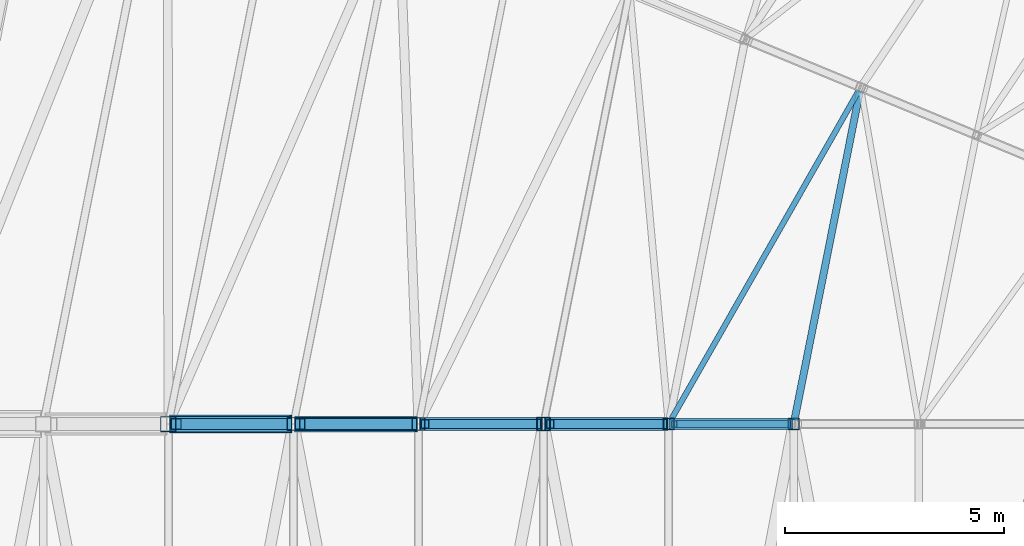
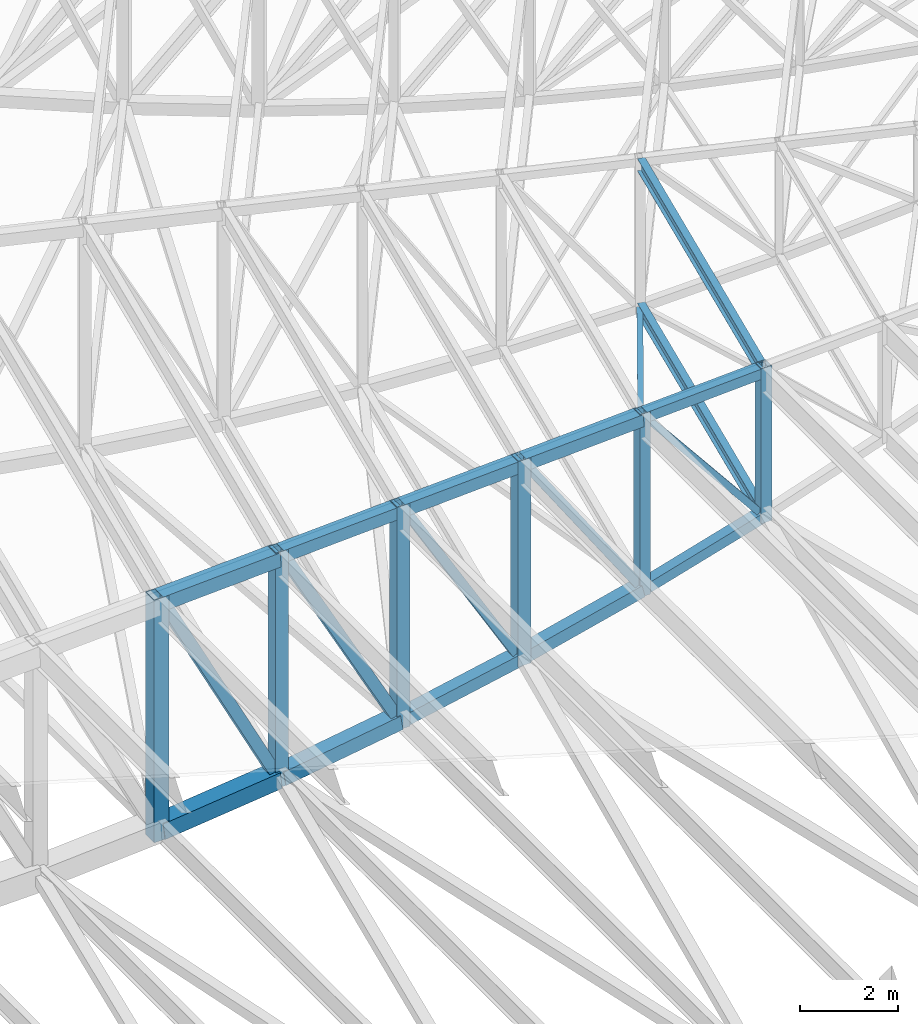
# One storey, part 64 of 278: 16 beams, 8 members.
"""IFC4 building model written with IfcOpenShell, lengths in metres."""

from ifc_helpers import new_model, si_unit, direction, frame, origin, origin_2d, place, context, subcontext, project, spatial, hollow_rectangle, i_section, extrude, material, material_profile, profile_set, type_object, element, save


model = new_model("IFC4")

# Units and contexts
model_context = context("Model", 3, precision=1e-05, world=origin(), true_north=direction((0.0, 1.0)))
body_context = subcontext(model_context, "Body", "Model", "MODEL_VIEW")
ifc_project = project(units=[si_unit("LENGTHUNIT", "METRE"), si_unit("AREAUNIT", "SQUARE_METRE"), si_unit("VOLUMEUNIT", "CUBIC_METRE"), si_unit("PLANEANGLEUNIT", "RADIAN"), si_unit("MASSUNIT", "GRAM", prefix="KILO")], contexts=[model_context])

# Site, building, storey
site_placement = place(None, origin())
site = spatial("IfcSite", under=ifc_project, at=site_placement, CompositionType="ELEMENT")
building_placement = place(site_placement, origin())
building = spatial("IfcBuilding", under=site, at=building_placement, Name="Ogive Plaza Stadium", CompositionType="ELEMENT")
storey_placement = place(building_placement, frame((0.0, 0.0, 29.0)))
storey = spatial("IfcBuildingStorey", under=building, at=storey_placement, Name="Roof", CompositionType="ELEMENT", Elevation=29.0)

# Members
ifc_material_1 = material(Name="Steel ASTM A500 Grade C", Category="steel")
ifc_material_profile_1 = material_profile(ifc_material_1, hollow_rectangle(XDim=0.126953125, YDim=0.126953125, WallThickness=0.005859375, at=origin_2d()), Name="HSS5X5X1/4")
ifc_profile_set_1 = profile_set([ifc_material_profile_1], Name="Steel ASTM A500 Grade C")
member_type_1 = type_object("IfcMemberType", Name="Roof plan brace HSS5X5X1/4", PredefinedType="BRACE", material=ifc_profile_set_1)
member_1_placement = place(storey_placement, frame((-52.563720703125, 60.10302734375, 3.242431640625), z_axis=(-0.493347767192, -0.86502645405, -0.091308347927), x_axis=(0.868655115078, -0.495417289815, 0.0)))
element("IfcMember", 1, at=member_1_placement, inside=storey, type_object=member_type_1, Name="ROOF BRACE B28 4", PredefinedType="BRACE", context=body_context, shape_type="SweptSolid", body=[
    extrude(hollow_rectangle(XDim=0.126953125, YDim=0.126953125, WallThickness=0.005859375, at=origin_2d()), origin(), (0.0, 0.0, 1.0), 8.636474609375),
])
ifc_material_2 = material(Name="Steel ASTM A992 Grade 50", Category="steel")
ifc_material_profile_2 = material_profile(ifc_material_2, i_section(OverallWidth=0.164794921875, OverallDepth=0.310302734375, WebThickness=0.005859375, FlangeThickness=0.009765625, at=origin_2d()), Name="W12X26")
ifc_profile_set_2 = profile_set([ifc_material_profile_2], Name="Steel ASTM A992 Grade 50")
member_type_2 = type_object("IfcMemberType", Name="Roof plan strut W12X26", PredefinedType="STRUT", material=ifc_profile_set_2)
member_2_placement = place(storey_placement, frame((-54.032470703125, 52.588134765625, 3.249755859375), z_axis=(0.195102482268, 0.9807828615, 0.0), x_axis=(-0.9807828615, 0.195102482268, 0.0)))
element("IfcMember", 2, at=member_2_placement, inside=storey, type_object=member_type_2, Name="ROOF STRUT B28 3", PredefinedType="STRUT", context=body_context, shape_type="SweptSolid", body=[
    extrude(i_section(OverallWidth=0.164794921875, OverallDepth=0.310302734375, WebThickness=0.005859375, FlangeThickness=0.009765625, at=origin_2d()), origin(), (0.0, 0.0, 1.0), 7.643310546875),
])
ifc_material_3 = material(Name="Steel ASTM A992 Grade 50", Category="steel")
ifc_material_profile_3 = material_profile(ifc_material_3, i_section(OverallWidth=0.164794921875, OverallDepth=0.310302734375, WebThickness=0.005859375, FlangeThickness=0.009765625, at=origin_2d()), Name="W12X26")
ifc_profile_set_3 = profile_set([ifc_material_profile_3], Name="Steel ASTM A992 Grade 50")
member_type_3 = type_object("IfcMemberType", Name="Roof purlin W12X26", PredefinedType="PURLIN", material=ifc_profile_set_3)
member_3_placement = place(storey_placement, frame((-54.032470703125, 52.588134765625, 6.84228515625), z_axis=(0.195102482268, 0.9807828615, 0.0), x_axis=(-0.9807828615, 0.195102482268, 0.0)))
element("IfcMember", 3, at=member_3_placement, inside=storey, type_object=member_type_3, Name="ROOF PURLIN B28 3", PredefinedType="PURLIN", context=body_context, shape_type="SweptSolid", body=[
    extrude(i_section(OverallWidth=0.164794921875, OverallDepth=0.310302734375, WebThickness=0.005859375, FlangeThickness=0.009765625, at=origin_2d()), origin(), (0.0, 0.0, 1.0), 7.643310546875),
])

# Beams
ifc_material_4 = material(Name="Steel ASTM A500 Grade C", Category="steel")
ifc_material_profile_4 = material_profile(ifc_material_4, hollow_rectangle(XDim=0.25390625, YDim=0.25390625, WallThickness=0.01171875, at=origin_2d()), Name="HSS10X10X1/2")
ifc_profile_set_4 = profile_set([ifc_material_profile_4], Name="Steel ASTM A500 Grade C")
beam_type_1 = type_object("IfcBeamType", Name="Roof truss bottom chord HSS10X10X1/2", PredefinedType="BEAM", material=ifc_profile_set_4)
beam_1_placement = place(storey_placement, frame((-54.10009765625, 52.5, 3.265869140625), z_axis=(-0.959640437259, 0.0, -0.281229854705), x_axis=(0.0, -1.0, 0.0)))
element("IfcBeam", 4, at=beam_1_placement, inside=storey, type_object=beam_type_1, Name="ROOF TRUSS T28 BOTTOM CHORD 4", PredefinedType="BEAM", context=body_context, shape_type="SweptSolid", body=[
    extrude(hollow_rectangle(XDim=0.25390625, YDim=0.25390625, WallThickness=0.01171875, at=origin_2d()), origin(), (0.0, 0.0, 1.0), 2.86572265625),
])
ifc_material_5 = material(Name="Steel ASTM A500 Grade C", Category="steel")
ifc_material_profile_5 = material_profile(ifc_material_5, hollow_rectangle(XDim=0.3046875, YDim=0.3046875, WallThickness=0.0146484375, at=origin_2d()), Name="HSS12X12X5/8")
ifc_profile_set_5 = profile_set([ifc_material_profile_5], Name="Steel ASTM A500 Grade C")
beam_type_2 = type_object("IfcBeamType", Name="Roof truss bottom chord HSS12X12X5/8", PredefinedType="BEAM", material=ifc_profile_set_5)
beam_2_placement = place(storey_placement, frame((-56.949951171875, 52.5, 2.45751953125), z_axis=(-0.970607032995, 0.0, -0.240669872439), x_axis=(0.0, -1.0, 0.0)))
element("IfcBeam", 5, at=beam_2_placement, inside=storey, type_object=beam_type_2, Name="ROOF TRUSS T28 BOTTOM CHORD 5", PredefinedType="BEAM", context=body_context, shape_type="SweptSolid", body=[
    extrude(hollow_rectangle(XDim=0.3046875, YDim=0.3046875, WallThickness=0.0146484375, at=origin_2d()), origin(), (0.0, 0.0, 1.0), 2.833251953125),
])
beam_3_placement = place(storey_placement, frame((-59.800048828125, 52.5, 1.751708984375), z_axis=(-0.980021250437, 0.0, -0.19889280704), x_axis=(0.0, -1.0, 0.0)))
element("IfcBeam", 6, at=beam_3_placement, inside=storey, type_object=beam_type_2, Name="ROOF TRUSS T28 BOTTOM CHORD 6", PredefinedType="BEAM", context=body_context, shape_type="SweptSolid", body=[
    extrude(hollow_rectangle(XDim=0.3046875, YDim=0.3046875, WallThickness=0.0146484375, at=origin_2d()), origin(), (0.0, 0.0, 1.0), 2.80615234375),
])
ifc_material_6 = material(Name="Steel ASTM A500 Grade C", Category="steel")
ifc_material_profile_6 = material_profile(ifc_material_6, hollow_rectangle(XDim=0.355712890625, YDim=0.355712890625, WallThickness=0.0146484375, at=origin_2d()), Name="HSS14X14X5/8")
ifc_profile_set_6 = profile_set([ifc_material_profile_6], Name="Steel ASTM A500 Grade C")
beam_type_3 = type_object("IfcBeamType", Name="Roof truss bottom chord HSS14X14X5/8", PredefinedType="BEAM", material=ifc_profile_set_6)
beam_4_placement = place(storey_placement, frame((-62.64990234375, 52.5, 1.2001953125), z_axis=(-0.987770074518, 0.0, -0.155917541947), x_axis=(0.0, -1.0, 0.0)))
element("IfcBeam", 7, at=beam_4_placement, inside=storey, type_object=beam_type_3, Name="ROOF TRUSS T28 BOTTOM CHORD 7", PredefinedType="BEAM", context=body_context, shape_type="SweptSolid", body=[
    extrude(hollow_rectangle(XDim=0.355712890625, YDim=0.355712890625, WallThickness=0.0146484375, at=origin_2d()), origin(), (0.0, 0.0, 1.0), 2.783935546875),
])
ifc_material_7 = material(Name="Steel ASTM A500 Grade C", Category="steel")
ifc_material_profile_7 = material_profile(ifc_material_7, hollow_rectangle(XDim=0.406494140625, YDim=0.406494140625, WallThickness=0.0146484375, at=origin_2d()), Name="HSS16X16X5/8")
ifc_profile_set_7 = profile_set([ifc_material_profile_7], Name="Steel ASTM A500 Grade C")
beam_type_4 = type_object("IfcBeamType", Name="Roof truss bottom chord HSS16X16X5/8", PredefinedType="BEAM", material=ifc_profile_set_7)
beam_5_placement = place(storey_placement, frame((-65.5, 52.5, 0.777099609375), z_axis=(-0.993703844406, 0.0, -0.112038696946), x_axis=(0.0, -1.0, 0.0)))
element("IfcBeam", 8, at=beam_5_placement, inside=storey, type_object=beam_type_4, Name="ROOF TRUSS T28 BOTTOM CHORD 8", PredefinedType="BEAM", context=body_context, shape_type="SweptSolid", body=[
    extrude(hollow_rectangle(XDim=0.406494140625, YDim=0.406494140625, WallThickness=0.0146484375, at=origin_2d()), origin(), (0.0, 0.0, 1.0), 2.767333984375),
])

# Members
ifc_material_8 = material(Name="Steel ASTM A500 Grade C", Category="steel")
ifc_material_profile_8 = material_profile(ifc_material_8, hollow_rectangle(XDim=0.25390625, YDim=0.25390625, WallThickness=0.0087890625, at=origin_2d()), Name="HSS10X10X3/8")
ifc_profile_set_8 = profile_set([ifc_material_profile_8], Name="Steel ASTM A500 Grade C")
member_type_4 = type_object("IfcMemberType", Name="Roof truss diagonal HSS10X10X3/8", PredefinedType="BRACE", material=ifc_profile_set_8)
member_4_placement = place(storey_placement, frame((-62.75244140625, 52.5, 1.383544921875), z_axis=(-0.473127942579, 0.0, 0.880993728667), x_axis=(0.0, -1.0, 0.0)))
element("IfcMember", 9, at=member_4_placement, inside=storey, type_object=member_type_4, Name="ROOF TRUSS T28 DIAGONAL 7", PredefinedType="BRACE", context=body_context, shape_type="SweptSolid", body=[
    extrude(hollow_rectangle(XDim=0.25390625, YDim=0.25390625, WallThickness=0.0087890625, at=origin_2d()), origin(), (0.0, 0.0, 1.0), 5.37939453125),
])
member_5_placement = place(storey_placement, frame((-65.602294921875, 52.5, 0.984619140625), z_axis=(-0.454062843231, 0.0, 0.890969659639), x_axis=(0.0, -1.0, 0.0)))
element("IfcMember", 10, at=member_5_placement, inside=storey, type_object=member_type_4, Name="ROOF TRUSS T28 DIAGONAL 8", PredefinedType="BRACE", context=body_context, shape_type="SweptSolid", body=[
    extrude(hollow_rectangle(XDim=0.25390625, YDim=0.25390625, WallThickness=0.0087890625, at=origin_2d()), origin(), (0.0, 0.0, 1.0), 5.550048828125),
])
ifc_material_9 = material(Name="Steel ASTM A500 Grade C", Category="steel")
ifc_material_profile_9 = material_profile(ifc_material_9, hollow_rectangle(XDim=0.15234375, YDim=0.15234375, WallThickness=0.0087890625, at=origin_2d()), Name="HSS6X6X3/8")
ifc_profile_set_9 = profile_set([ifc_material_profile_9], Name="Steel ASTM A500 Grade C")
member_type_5 = type_object("IfcMemberType", Name="Roof truss diagonal HSS6X6X3/8", PredefinedType="BRACE", material=ifc_profile_set_9)
member_6_placement = place(storey_placement, frame((-54.177001953125, 52.5, 3.40234375), z_axis=(-0.630150764463, 0.0, 0.77647280316), x_axis=(0.0, -1.0, 0.0)))
element("IfcMember", 11, at=member_6_placement, inside=storey, type_object=member_type_5, Name="ROOF TRUSS T28 DIAGONAL 4", PredefinedType="BRACE", context=body_context, shape_type="SweptSolid", body=[
    extrude(hollow_rectangle(XDim=0.15234375, YDim=0.15234375, WallThickness=0.0087890625, at=origin_2d()), origin(), (0.0, 0.0, 1.0), 4.11962890625),
])
ifc_material_10 = material(Name="Steel ASTM A500 Grade C", Category="steel")
ifc_material_profile_10 = material_profile(ifc_material_10, hollow_rectangle(XDim=0.203125, YDim=0.203125, WallThickness=0.0087890625, at=origin_2d()), Name="HSS8X8X3/8")
ifc_profile_set_10 = profile_set([ifc_material_profile_10], Name="Steel ASTM A500 Grade C")
member_type_6 = type_object("IfcMemberType", Name="Roof truss diagonal HSS8X8X3/8", PredefinedType="BRACE", material=ifc_profile_set_10)
member_7_placement = place(storey_placement, frame((-57.027099609375, 52.5, 2.617919921875), z_axis=(-0.561338440243, 0.0, 0.827586343233), x_axis=(0.0, -1.0, 0.0)))
element("IfcMember", 12, at=member_7_placement, inside=storey, type_object=member_type_6, Name="ROOF TRUSS T28 DIAGONAL 5", PredefinedType="BRACE", context=body_context, shape_type="SweptSolid", body=[
    extrude(hollow_rectangle(XDim=0.203125, YDim=0.203125, WallThickness=0.0087890625, at=origin_2d()), origin(), (0.0, 0.0, 1.0), 4.579345703125),
])
member_8_placement = place(storey_placement, frame((-59.90234375, 52.5, 1.9111328125), z_axis=(-0.504659398762, 0.0, 0.863318534054), x_axis=(0.0, -1.0, 0.0)))
element("IfcMember", 13, at=member_8_placement, inside=storey, type_object=member_type_6, Name="ROOF TRUSS T28 DIAGONAL 6", PredefinedType="BRACE", context=body_context, shape_type="SweptSolid", body=[
    extrude(hollow_rectangle(XDim=0.203125, YDim=0.203125, WallThickness=0.0087890625, at=origin_2d()), origin(), (0.0, 0.0, 1.0), 5.043212890625),
])

# Beams
ifc_material_11 = material(Name="Steel ASTM A500 Grade C", Category="steel")
ifc_material_profile_11 = material_profile(ifc_material_11, hollow_rectangle(XDim=0.25390625, YDim=0.25390625, WallThickness=0.01171875, at=origin_2d()), Name="HSS10X10X1/2")
ifc_profile_set_11 = profile_set([ifc_material_profile_11], Name="Steel ASTM A500 Grade C")
beam_type_5 = type_object("IfcBeamType", Name="Roof truss post HSS10X10X1/2", PredefinedType="BEAM", material=ifc_profile_set_11)
beam_6_placement = place(storey_placement, frame((-54.050048828125, 52.5, 3.148193359375), z_axis=(0.0, 0.0, 1.0), x_axis=(0.0, -1.0, 0.0)))
element("IfcBeam", 14, at=beam_6_placement, inside=storey, type_object=beam_type_5, Name="ROOF TRUSS T28 POST 4", PredefinedType="BEAM", context=body_context, shape_type="SweptSolid", body=[
    extrude(hollow_rectangle(XDim=0.25390625, YDim=0.25390625, WallThickness=0.01171875, at=origin_2d()), origin(), (0.0, 0.0, 1.0), 3.849365234375),
])
beam_7_placement = place(storey_placement, frame((-56.89990234375, 52.5, 2.31298828125), z_axis=(0.0, 0.0, 1.0), x_axis=(0.0, -1.0, 0.0)))
element("IfcBeam", 15, at=beam_7_placement, inside=storey, type_object=beam_type_5, Name="ROOF TRUSS T28 POST 5", PredefinedType="BEAM", context=body_context, shape_type="SweptSolid", body=[
    extrude(hollow_rectangle(XDim=0.25390625, YDim=0.25390625, WallThickness=0.01171875, at=origin_2d()), origin(), (0.0, 0.0, 1.0), 4.5419921875),
])
ifc_material_12 = material(Name="Steel ASTM A500 Grade C", Category="steel")
ifc_material_profile_12 = material_profile(ifc_material_12, hollow_rectangle(XDim=0.3046875, YDim=0.3046875, WallThickness=0.01171875, at=origin_2d()), Name="HSS12X12X1/2")
ifc_profile_set_12 = profile_set([ifc_material_profile_12], Name="Steel ASTM A500 Grade C")
beam_type_6 = type_object("IfcBeamType", Name="Roof truss post HSS12X12X1/2", PredefinedType="BEAM", material=ifc_profile_set_12)
beam_8_placement = place(storey_placement, frame((-59.75, 52.5, 1.606201171875), z_axis=(0.0, 0.0, 1.0), x_axis=(0.0, -1.0, 0.0)))
element("IfcBeam", 16, at=beam_8_placement, inside=storey, type_object=beam_type_6, Name="ROOF TRUSS T28 POST 6", PredefinedType="BEAM", context=body_context, shape_type="SweptSolid", body=[
    extrude(hollow_rectangle(XDim=0.3046875, YDim=0.3046875, WallThickness=0.01171875, at=origin_2d()), origin(), (0.0, 0.0, 1.0), 5.106201171875),
])
ifc_material_13 = material(Name="Steel ASTM A500 Grade C", Category="steel")
ifc_material_profile_13 = material_profile(ifc_material_13, hollow_rectangle(XDim=0.3046875, YDim=0.3046875, WallThickness=0.0146484375, at=origin_2d()), Name="HSS12X12X5/8")
ifc_profile_set_13 = profile_set([ifc_material_profile_13], Name="Steel ASTM A500 Grade C")
beam_type_7 = type_object("IfcBeamType", Name="Roof truss post HSS12X12X5/8", PredefinedType="BEAM", material=ifc_profile_set_13)
beam_9_placement = place(storey_placement, frame((-62.60009765625, 52.5, 1.028076171875), z_axis=(0.0, 0.0, 1.0), x_axis=(0.0, -1.0, 0.0)))
element("IfcBeam", 17, at=beam_9_placement, inside=storey, type_object=beam_type_7, Name="ROOF TRUSS T28 POST 7", PredefinedType="BEAM", context=body_context, shape_type="SweptSolid", body=[
    extrude(hollow_rectangle(XDim=0.3046875, YDim=0.3046875, WallThickness=0.0146484375, at=origin_2d()), origin(), (0.0, 0.0, 1.0), 5.5419921875),
])
beam_10_placement = place(storey_placement, frame((-65.449951171875, 52.5, 0.578369140625), z_axis=(0.0, 0.0, 1.0), x_axis=(0.0, -1.0, 0.0)))
element("IfcBeam", 18, at=beam_10_placement, inside=storey, type_object=beam_type_7, Name="ROOF TRUSS T28 POST 8", PredefinedType="BEAM", context=body_context, shape_type="SweptSolid", body=[
    extrude(hollow_rectangle(XDim=0.3046875, YDim=0.3046875, WallThickness=0.0146484375, at=origin_2d()), origin(), (0.0, 0.0, 1.0), 5.84912109375),
])
ifc_material_14 = material(Name="Steel ASTM A500 Grade C", Category="steel")
ifc_material_profile_14 = material_profile(ifc_material_14, hollow_rectangle(XDim=0.355712890625, YDim=0.355712890625, WallThickness=0.0146484375, at=origin_2d()), Name="HSS14X14X5/8")
ifc_profile_set_14 = profile_set([ifc_material_profile_14], Name="Steel ASTM A500 Grade C")
beam_type_8 = type_object("IfcBeamType", Name="Roof truss post HSS14X14X5/8", PredefinedType="BEAM", material=ifc_profile_set_14)
beam_11_placement = place(storey_placement, frame((-68.300048828125, 52.5, 0.257080078125), z_axis=(0.0, 0.0, 1.0), x_axis=(0.0, -1.0, 0.0)))
element("IfcBeam", 19, at=beam_11_placement, inside=storey, type_object=beam_type_8, Name="ROOF TRUSS T28 POST 9", PredefinedType="BEAM", context=body_context, shape_type="SweptSolid", body=[
    extrude(hollow_rectangle(XDim=0.355712890625, YDim=0.355712890625, WallThickness=0.0146484375, at=origin_2d()), origin(), (0.0, 0.0, 1.0), 6.02783203125),
])
ifc_material_15 = material(Name="Steel ASTM A500 Grade C", Category="steel")
ifc_material_profile_15 = material_profile(ifc_material_15, hollow_rectangle(XDim=0.25390625, YDim=0.25390625, WallThickness=0.0087890625, at=origin_2d()), Name="HSS10X10X3/8")
ifc_profile_set_15 = profile_set([ifc_material_profile_15], Name="Steel ASTM A500 Grade C")
beam_type_9 = type_object("IfcBeamType", Name="Roof truss top chord HSS10X10X3/8", PredefinedType="BEAM", material=ifc_profile_set_15)
beam_12_placement = place(storey_placement, frame((-54.10009765625, 52.5, 6.867919921875), z_axis=(-0.998748798523, 0.0, -0.05000837379), x_axis=(0.0, -1.0, 0.0)))
element("IfcBeam", 20, at=beam_12_placement, inside=storey, type_object=beam_type_9, Name="ROOF TRUSS T28 TOP CHORD 4", PredefinedType="BEAM", context=body_context, shape_type="SweptSolid", body=[
    extrude(hollow_rectangle(XDim=0.25390625, YDim=0.25390625, WallThickness=0.0087890625, at=origin_2d()), origin(), (0.0, 0.0, 1.0), 2.75341796875),
])
ifc_material_16 = material(Name="Steel ASTM A500 Grade C", Category="steel")
ifc_material_profile_16 = material_profile(ifc_material_16, hollow_rectangle(XDim=0.3046875, YDim=0.3046875, WallThickness=0.01171875, at=origin_2d()), Name="HSS12X12X1/2")
ifc_profile_set_16 = profile_set([ifc_material_profile_16], Name="Steel ASTM A500 Grade C")
beam_type_10 = type_object("IfcBeamType", Name="Roof truss top chord HSS12X12X1/2", PredefinedType="BEAM", material=ifc_profile_set_16)
beam_13_placement = place(storey_placement, frame((-62.64990234375, 52.5, 6.414794921875), z_axis=(-0.998753223187, 0.0, -0.049919927615), x_axis=(0.0, -1.0, 0.0)))
element("IfcBeam", 21, at=beam_13_placement, inside=storey, type_object=beam_type_10, Name="ROOF TRUSS T28 TOP CHORD 7", PredefinedType="BEAM", context=body_context, shape_type="SweptSolid", body=[
    extrude(hollow_rectangle(XDim=0.3046875, YDim=0.3046875, WallThickness=0.01171875, at=origin_2d()), origin(), (0.0, 0.0, 1.0), 2.75341796875),
])
ifc_material_17 = material(Name="Steel ASTM A500 Grade C", Category="steel")
ifc_material_profile_17 = material_profile(ifc_material_17, hollow_rectangle(XDim=0.3046875, YDim=0.3046875, WallThickness=0.0087890625, at=origin_2d()), Name="HSS12X12X3/8")
ifc_profile_set_17 = profile_set([ifc_material_profile_17], Name="Steel ASTM A500 Grade C")
beam_type_11 = type_object("IfcBeamType", Name="Roof truss top chord HSS12X12X3/8", PredefinedType="BEAM", material=ifc_profile_set_17)
for number, where, z_axis, x_axis, name in (
    (22, (-56.949951171875, 52.5, 6.699951171875), (-0.998753223187, 0.0, -0.049919927615), (0.0, -1.0, 0.0), "ROOF TRUSS T28 TOP CHORD 5"),
    (23, (-59.800048828125, 52.5, 6.557373046875), (-0.998753223187, 0.0, -0.049919927615), (0.0, -1.0, 0.0), "ROOF TRUSS T28 TOP CHORD 6"),
):
    element("IfcBeam", number, at=place(storey_placement, frame(where, z_axis=z_axis, x_axis=x_axis)), inside=storey, type_object=beam_type_11, Name=name, PredefinedType="BEAM", context=body_context, shape_type="SweptSolid", body=[
        extrude(hollow_rectangle(XDim=0.3046875, YDim=0.3046875, WallThickness=0.0087890625, at=origin_2d()), origin(), (0.0, 0.0, 1.0), 2.75341796875),
    ])
ifc_material_18 = material(Name="Steel ASTM A500 Grade C", Category="steel")
ifc_material_profile_18 = material_profile(ifc_material_18, hollow_rectangle(XDim=0.355712890625, YDim=0.355712890625, WallThickness=0.01171875, at=origin_2d()), Name="HSS14X14X1/2")
ifc_profile_set_18 = profile_set([ifc_material_profile_18], Name="Steel ASTM A500 Grade C")
beam_type_12 = type_object("IfcBeamType", Name="Roof truss top chord HSS14X14X1/2", PredefinedType="BEAM", material=ifc_profile_set_18)
beam_14_placement = place(storey_placement, frame((-65.5, 52.5, 6.2470703125), z_axis=(-0.998748798523, 0.0, -0.05000837379), x_axis=(0.0, -1.0, 0.0)))
element("IfcBeam", 24, at=beam_14_placement, inside=storey, type_object=beam_type_12, Name="ROOF TRUSS T28 TOP CHORD 8", PredefinedType="BEAM", context=body_context, shape_type="SweptSolid", body=[
    extrude(hollow_rectangle(XDim=0.355712890625, YDim=0.355712890625, WallThickness=0.01171875, at=origin_2d()), origin(), (0.0, 0.0, 1.0), 2.75341796875),
])

save(model, "model.ifc")
